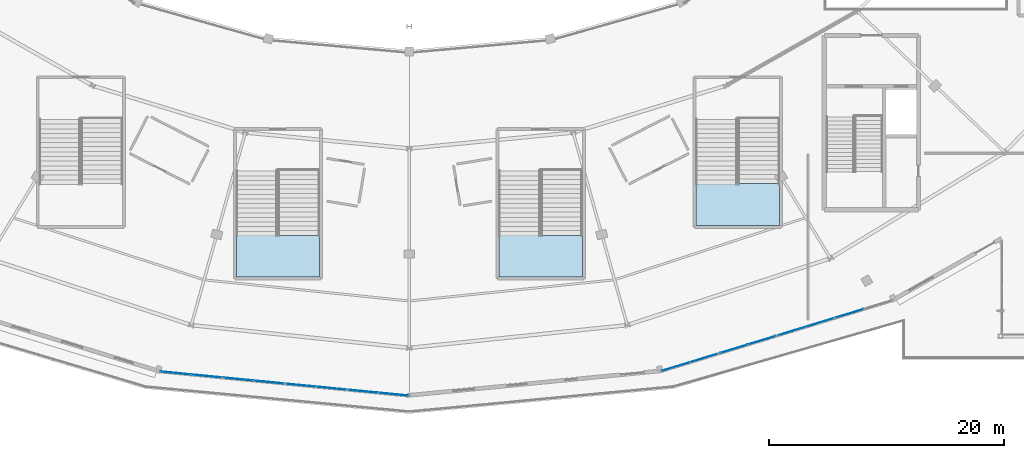
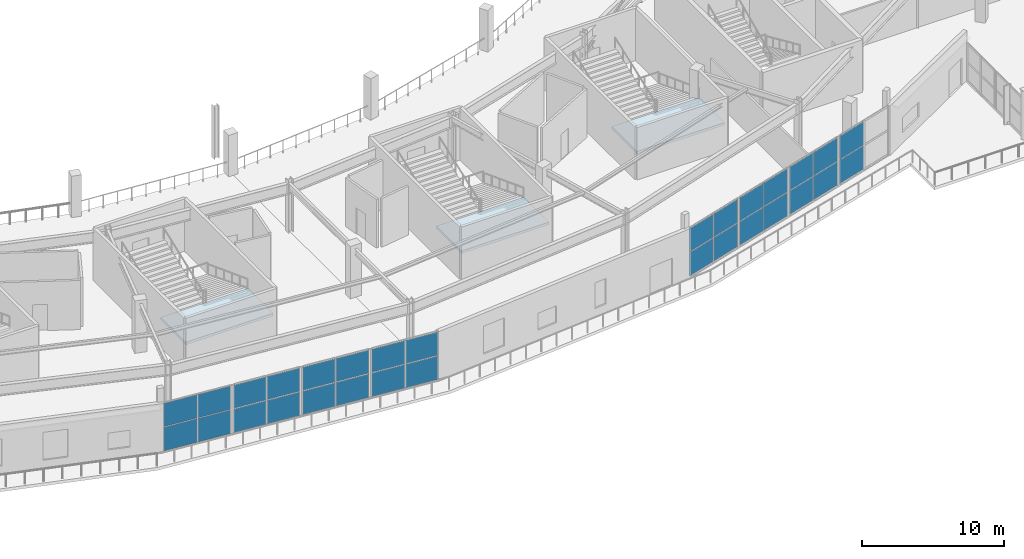
# One storey, part 74 of 123: 30 plates, 3 slabs, 11 elements without a shape of their own.
"""IFC4 building model written with IfcOpenShell, lengths in metres."""

from ifc_helpers import new_model, si_unit, direction, frame, origin, origin_2d, place, context, subcontext, project, spatial, polyline, rectangle, outline, extrude, material, layer, layer_set, type_object, element, aggregate, save


model = new_model("IFC4")

# Units and contexts
model_context = context("Model", 3, precision=1e-05, world=origin(), true_north=direction((0.0, 1.0)))
body_context = subcontext(model_context, "Body", "Model", "MODEL_VIEW")
ifc_project = project(units=[si_unit("LENGTHUNIT", "METRE"), si_unit("AREAUNIT", "SQUARE_METRE"), si_unit("VOLUMEUNIT", "CUBIC_METRE"), si_unit("PLANEANGLEUNIT", "RADIAN"), si_unit("MASSUNIT", "GRAM", prefix="KILO")], contexts=[model_context])

# Site, building, storey
site_placement = place(None, origin())
site = spatial("IfcSite", under=ifc_project, at=site_placement, CompositionType="ELEMENT")
building_placement = place(site_placement, origin())
building = spatial("IfcBuilding", under=site, at=building_placement, Name="Kalgoora Escarpment Arena", CompositionType="ELEMENT")
storey_placement = place(building_placement, frame((0.0, 0.0, 9.89990234375)))
storey = spatial("IfcBuildingStorey", under=building, at=storey_placement, Name="L02", CompositionType="ELEMENT", Elevation=9.89990234375)

# Curtain wall, plates
ifc_material_1 = material(Name=" Champagne anodised aluminium & double-glazed low-E", Category="aluminium")
ifc_layer_1 = layer(ifc_material_1, 0.14990234375)
ifc_layer_set_1 = layer_set([ifc_layer_1], Name="CW-UNIT-05")
curtain_wall_type_1 = type_object("IfcCurtainWallType", Name="CW-UNIT-05", PredefinedType="NOTDEFINED", material=ifc_layer_set_1)
curtain_wall_1_placement = place(storey_placement, origin())
curtain_wall_1 = element("IfcCurtainWall", 1, at=curtain_wall_1_placement, inside=storey, type_object=curtain_wall_type_1, Name="L02 unitised facade curtain wall 044", PredefinedType="NOTDEFINED")
ifc_material_2 = material(Name="Low-E double-glazed insulated glass", Category="glass")
ifc_layer_2 = layer(ifc_material_2, 0.028076171875)
ifc_layer_set_2 = layer_set([ifc_layer_2], Name="PLT-CW-GLAZ-28")
plate_type_1 = type_object("IfcPlateType", Name="PLT-CW-GLAZ-28", PredefinedType="CURTAIN_PANEL", material=ifc_layer_set_2)
plate_1_placement = place(storey_placement, frame((127.3837890625, 9.160400390625, 0.080078125), z_axis=(0.0, 0.0, 1.0), x_axis=(-0.9561886445, -0.292751218834, 0.0)))
plate_1 = element("IfcPlate", 2, at=plate_1_placement, type_object=plate_type_1, Name="CW-05 panel 1.1", PredefinedType="CURTAIN_PANEL", context=body_context, shape_type="SweptSolid", body=[
    extrude(rectangle(XDim=2.427734375, YDim=0.028076171875, at=origin_2d()), origin(), (0.0, 0.0, 1.0), 2.0224609375),
])
plate_2_placement = place(storey_placement, frame((127.3837890625, 9.160400390625, 2.16259765625), z_axis=(0.0, 0.0, 1.0), x_axis=(-0.9561886445, -0.292751218834, 0.0)))
plate_2 = element("IfcPlate", 3, at=plate_2_placement, type_object=plate_type_1, Name="CW-05 panel 1.2", PredefinedType="CURTAIN_PANEL", context=body_context, shape_type="SweptSolid", body=[
    extrude(rectangle(XDim=2.427734375, YDim=0.028076171875, at=origin_2d()), origin(), (0.0, 0.0, 1.0), 2.00244140625),
])
plate_3_placement = place(storey_placement, frame((125.000244140625, 8.4306640625, 0.080078125), z_axis=(0.0, 0.0, 1.0), x_axis=(-0.9561886445, -0.292751218834, 0.0)))
plate_3 = element("IfcPlate", 4, at=plate_3_placement, type_object=plate_type_1, Name="CW-05 panel 2.1", PredefinedType="CURTAIN_PANEL", context=body_context, shape_type="SweptSolid", body=[
    extrude(rectangle(XDim=2.427734375, YDim=0.028076171875, at=origin_2d()), origin(), (0.0, 0.0, 1.0), 2.0224609375),
])
plate_4_placement = place(storey_placement, frame((125.000244140625, 8.4306640625, 2.16259765625), z_axis=(0.0, 0.0, 1.0), x_axis=(-0.9561886445, -0.292751218834, 0.0)))
plate_4 = element("IfcPlate", 5, at=plate_4_placement, type_object=plate_type_1, Name="CW-05 panel 2.2", PredefinedType="CURTAIN_PANEL", context=body_context, shape_type="SweptSolid", body=[
    extrude(rectangle(XDim=2.427734375, YDim=0.028076171875, at=origin_2d()), origin(), (0.0, 0.0, 1.0), 2.00244140625),
])
aggregate(curtain_wall_1, [plate_1, plate_2, plate_3, plate_4])

ifc_material_3 = material(Name=" Champagne anodised aluminium & double-glazed low-E", Category="aluminium")
ifc_layer_3 = layer(ifc_material_3, 0.157958984375)
ifc_layer_set_3 = layer_set([ifc_layer_3], Name="CW-UNIT-07")
curtain_wall_type_2 = type_object("IfcCurtainWallType", Name="CW-UNIT-07", PredefinedType="NOTDEFINED", material=ifc_layer_set_3)
curtain_wall_2_placement = place(storey_placement, origin())
curtain_wall_2 = element("IfcCurtainWall", 6, at=curtain_wall_2_placement, inside=storey, type_object=curtain_wall_type_2, Name="L02 unitised facade curtain wall 046", PredefinedType="NOTDEFINED")
plate_5_placement = place(storey_placement, frame((117.522216796875, 6.14111328125, 0.080078125), z_axis=(0.0, 0.0, 1.0), x_axis=(-0.956190547467, -0.29274500326, 0.0)))
plate_5 = element("IfcPlate", 7, at=plate_5_placement, type_object=plate_type_1, Name="CW-07 panel 1.1", PredefinedType="CURTAIN_PANEL", context=body_context, shape_type="SweptSolid", body=[
    extrude(rectangle(XDim=2.45263671875, YDim=0.028076171875, at=origin_2d()), origin(), (0.0, 0.0, 1.0), 2.0224609375),
])
plate_6_placement = place(storey_placement, frame((117.522216796875, 6.14111328125, 2.16259765625), z_axis=(0.0, 0.0, 1.0), x_axis=(-0.956190547467, -0.29274500326, 0.0)))
plate_6 = element("IfcPlate", 8, at=plate_6_placement, type_object=plate_type_1, Name="CW-07 panel 1.2", PredefinedType="CURTAIN_PANEL", context=body_context, shape_type="SweptSolid", body=[
    extrude(rectangle(XDim=2.45263671875, YDim=0.028076171875, at=origin_2d()), origin(), (0.0, 0.0, 1.0), 2.00244140625),
])
plate_7_placement = place(storey_placement, frame((115.11474609375, 5.404052734375, 0.080078125), z_axis=(0.0, 0.0, 1.0), x_axis=(-0.956190547467, -0.29274500326, 0.0)))
plate_7 = element("IfcPlate", 9, at=plate_7_placement, type_object=plate_type_1, Name="CW-07 panel 2.1", PredefinedType="CURTAIN_PANEL", context=body_context, shape_type="SweptSolid", body=[
    extrude(rectangle(XDim=2.45263671875, YDim=0.028076171875, at=origin_2d()), origin(), (0.0, 0.0, 1.0), 2.0224609375),
])
plate_8_placement = place(storey_placement, frame((115.11474609375, 5.404052734375, 2.16259765625), z_axis=(0.0, 0.0, 1.0), x_axis=(-0.956190547467, -0.29274500326, 0.0)))
plate_8 = element("IfcPlate", 10, at=plate_8_placement, type_object=plate_type_1, Name="CW-07 panel 2.2", PredefinedType="CURTAIN_PANEL", context=body_context, shape_type="SweptSolid", body=[
    extrude(rectangle(XDim=2.45263671875, YDim=0.028076171875, at=origin_2d()), origin(), (0.0, 0.0, 1.0), 2.00244140625),
])
aggregate(curtain_wall_2, [plate_5, plate_6, plate_7, plate_8])

ifc_material_4 = material(Name=" Champagne anodised aluminium & double-glazed low-E", Category="aluminium")
ifc_layer_4 = layer(ifc_material_4, 0.166015625)
ifc_layer_set_4 = layer_set([ifc_layer_4], Name="CW-UNIT-09")
curtain_wall_type_3 = type_object("IfcCurtainWallType", Name="CW-UNIT-09", PredefinedType="NOTDEFINED", material=ifc_layer_set_4)
curtain_wall_3_placement = place(storey_placement, origin())
curtain_wall_3 = element("IfcCurtainWall", 11, at=curtain_wall_3_placement, inside=storey, type_object=curtain_wall_type_3, Name="L02 unitised facade curtain wall 048", PredefinedType="NOTDEFINED")
plate_9_placement = place(storey_placement, frame((85.722412109375, 3.5703125, 0.080078125), z_axis=(0.0, 0.0, 1.0), x_axis=(-0.995298024698, 0.096859909317, 0.0)))
plate_9 = element("IfcPlate", 12, at=plate_9_placement, type_object=plate_type_1, Name="CW-09 panel 1.1", PredefinedType="CURTAIN_PANEL", context=body_context, shape_type="SweptSolid", body=[
    extrude(rectangle(XDim=2.5244140625, YDim=0.028076171875, at=origin_2d()), origin(), (0.0, 0.0, 1.0), 2.0224609375),
])
plate_10_placement = place(storey_placement, frame((85.722412109375, 3.5703125, 2.16259765625), z_axis=(0.0, 0.0, 1.0), x_axis=(-0.995298024698, 0.096859909317, 0.0)))
plate_10 = element("IfcPlate", 13, at=plate_10_placement, type_object=plate_type_1, Name="CW-09 panel 1.2", PredefinedType="CURTAIN_PANEL", context=body_context, shape_type="SweptSolid", body=[
    extrude(rectangle(XDim=2.5244140625, YDim=0.028076171875, at=origin_2d()), origin(), (0.0, 0.0, 1.0), 2.00244140625),
])
plate_11_placement = place(storey_placement, frame((83.145263671875, 3.821044921875, 0.080078125), z_axis=(0.0, 0.0, 1.0), x_axis=(-0.995298024698, 0.096859909317, 0.0)))
plate_11 = element("IfcPlate", 14, at=plate_11_placement, type_object=plate_type_1, Name="CW-09 panel 2.1", PredefinedType="CURTAIN_PANEL", context=body_context, shape_type="SweptSolid", body=[
    extrude(rectangle(XDim=2.5244140625, YDim=0.028076171875, at=origin_2d()), origin(), (0.0, 0.0, 1.0), 2.0224609375),
])
plate_12_placement = place(storey_placement, frame((83.145263671875, 3.821044921875, 2.16259765625), z_axis=(0.0, 0.0, 1.0), x_axis=(-0.995298024698, 0.096859909317, 0.0)))
plate_12 = element("IfcPlate", 15, at=plate_12_placement, type_object=plate_type_1, Name="CW-09 panel 2.2", PredefinedType="CURTAIN_PANEL", context=body_context, shape_type="SweptSolid", body=[
    extrude(rectangle(XDim=2.5244140625, YDim=0.028076171875, at=origin_2d()), origin(), (0.0, 0.0, 1.0), 2.00244140625),
])
aggregate(curtain_wall_3, [plate_9, plate_10, plate_11, plate_12])

ifc_material_5 = material(Name=" Champagne anodised aluminium & double-glazed low-E", Category="aluminium")
ifc_layer_5 = layer(ifc_material_5, 0.154052734375)
ifc_layer_set_5 = layer_set([ifc_layer_5], Name="CW-UNIT-11")
curtain_wall_type_4 = type_object("IfcCurtainWallType", Name="CW-UNIT-11", PredefinedType="NOTDEFINED", material=ifc_layer_set_5)
curtain_wall_4_placement = place(storey_placement, origin())
curtain_wall_4 = element("IfcCurtainWall", 16, at=curtain_wall_4_placement, inside=storey, type_object=curtain_wall_type_4, Name="L02 unitised facade curtain wall 050", PredefinedType="NOTDEFINED")
plate_13_placement = place(storey_placement, frame((75.073974609375, 4.6064453125, 0.0751953125), z_axis=(0.0, 0.0, 1.0), x_axis=(-0.995298692664, 0.096853045283, 0.0)))
plate_13 = element("IfcPlate", 17, at=plate_13_placement, type_object=plate_type_1, Name="CW-11 panel 1.1", PredefinedType="CURTAIN_PANEL", context=body_context, shape_type="SweptSolid", body=[
    extrude(rectangle(XDim=2.556884765625, YDim=0.028076171875, at=origin_2d()), origin(), (0.0, 0.0, 1.0), 2.030029296875),
])
plate_14_placement = place(storey_placement, frame((75.073974609375, 4.6064453125, 2.16015625), z_axis=(0.0, 0.0, 1.0), x_axis=(-0.995298692664, 0.096853045283, 0.0)))
plate_14 = element("IfcPlate", 18, at=plate_14_placement, type_object=plate_type_1, Name="CW-11 panel 1.2", PredefinedType="CURTAIN_PANEL", context=body_context, shape_type="SweptSolid", body=[
    extrude(rectangle(XDim=2.556884765625, YDim=0.028076171875, at=origin_2d()), origin(), (0.0, 0.0, 1.0), 2.010009765625),
])
plate_15_placement = place(storey_placement, frame((72.469482421875, 4.85986328125, 0.0751953125), z_axis=(0.0, 0.0, 1.0), x_axis=(-0.995298692664, 0.096853045283, 0.0)))
plate_15 = element("IfcPlate", 19, at=plate_15_placement, type_object=plate_type_1, Name="CW-11 panel 2.1", PredefinedType="CURTAIN_PANEL", context=body_context, shape_type="SweptSolid", body=[
    extrude(rectangle(XDim=2.556884765625, YDim=0.028076171875, at=origin_2d()), origin(), (0.0, 0.0, 1.0), 2.030029296875),
])
plate_16_placement = place(storey_placement, frame((72.469482421875, 4.85986328125, 2.16015625), z_axis=(0.0, 0.0, 1.0), x_axis=(-0.995298692664, 0.096853045283, 0.0)))
plate_16 = element("IfcPlate", 20, at=plate_16_placement, type_object=plate_type_1, Name="CW-11 panel 2.2", PredefinedType="CURTAIN_PANEL", context=body_context, shape_type="SweptSolid", body=[
    extrude(rectangle(XDim=2.556884765625, YDim=0.028076171875, at=origin_2d()), origin(), (0.0, 0.0, 1.0), 2.010009765625),
])
aggregate(curtain_wall_4, [plate_13, plate_14, plate_15, plate_16])

ifc_material_6 = material(Name=" Champagne anodised aluminium & double-glazed low-E", Category="aluminium")
ifc_layer_6 = layer(ifc_material_6, 0.166015625)
ifc_layer_set_6 = layer_set([ifc_layer_6], Name="CW-UNIT-04")
curtain_wall_type_5 = type_object("IfcCurtainWallType", Name="CW-UNIT-04", PredefinedType="NOTDEFINED", material=ifc_layer_set_6)
curtain_wall_5_placement = place(storey_placement, origin())
curtain_wall_5 = element("IfcCurtainWall", 21, at=curtain_wall_5_placement, inside=storey, type_object=curtain_wall_type_5, Name="L02 unitised facade curtain wall 043", PredefinedType="NOTDEFINED")
ifc_material_7 = material(Name="Acoustic laminated solar-control glass", Category="glass")
ifc_layer_7 = layer(ifc_material_7, 0.033935546875)
ifc_layer_set_7 = layer_set([ifc_layer_7], Name="PLT-CW-GLAZ-34")
plate_type_2 = type_object("IfcPlateType", Name="PLT-CW-GLAZ-34", PredefinedType="CURTAIN_PANEL", material=ifc_layer_set_7)
plate_17_placement = place(storey_placement, frame((129.936767578125, 9.94189453125, 0.080078125), z_axis=(0.0, 0.0, 1.0), x_axis=(-0.956190547467, -0.29274500326, 0.0)))
plate_17 = element("IfcPlate", 22, at=plate_17_placement, type_object=plate_type_2, Name="CW-04 panel 2.1", PredefinedType="CURTAIN_PANEL", context=body_context, shape_type="SweptSolid", body=[
    extrude(rectangle(XDim=2.45263671875, YDim=0.033935546875, at=origin_2d()), origin(), (0.0, 0.0, 1.0), 2.0224609375),
])
plate_18_placement = place(storey_placement, frame((129.936767578125, 9.94189453125, 2.16259765625), z_axis=(0.0, 0.0, 1.0), x_axis=(-0.956190547467, -0.29274500326, 0.0)))
plate_18 = element("IfcPlate", 23, at=plate_18_placement, type_object=plate_type_2, Name="CW-04 panel 2.2", PredefinedType="CURTAIN_PANEL", context=body_context, shape_type="SweptSolid", body=[
    extrude(rectangle(XDim=2.45263671875, YDim=0.033935546875, at=origin_2d()), origin(), (0.0, 0.0, 1.0), 2.00244140625),
])
aggregate(curtain_wall_5, [plate_17, plate_18])

ifc_material_8 = material(Name=" Champagne anodised aluminium & double-glazed low-E", Category="aluminium")
ifc_layer_8 = layer(ifc_material_8, 0.154052734375)
ifc_layer_set_8 = layer_set([ifc_layer_8], Name="CW-UNIT-06")
curtain_wall_type_6 = type_object("IfcCurtainWallType", Name="CW-UNIT-06", PredefinedType="NOTDEFINED", material=ifc_layer_set_8)
curtain_wall_6_placement = place(storey_placement, origin())
curtain_wall_6 = element("IfcCurtainWall", 24, at=curtain_wall_6_placement, inside=storey, type_object=curtain_wall_type_6, Name="L02 unitised facade curtain wall 045", PredefinedType="NOTDEFINED")
plate_19_placement = place(storey_placement, frame((122.458984375, 7.652587890625, 0.080078125), z_axis=(0.0, 0.0, 1.0), x_axis=(-0.956194187039, -0.292733115095, 0.0)))
plate_19 = element("IfcPlate", 25, at=plate_19_placement, type_object=plate_type_2, Name="CW-06 panel 1.1", PredefinedType="CURTAIN_PANEL", context=body_context, shape_type="SweptSolid", body=[
    extrude(rectangle(XDim=2.427734375, YDim=0.033935546875, at=origin_2d()), origin(), (0.0, 0.0, 1.0), 2.0224609375),
])
plate_20_placement = place(storey_placement, frame((122.458984375, 7.652587890625, 2.16259765625), z_axis=(0.0, 0.0, 1.0), x_axis=(-0.956194187039, -0.292733115095, 0.0)))
plate_20 = element("IfcPlate", 26, at=plate_20_placement, type_object=plate_type_2, Name="CW-06 panel 1.2", PredefinedType="CURTAIN_PANEL", context=body_context, shape_type="SweptSolid", body=[
    extrude(rectangle(XDim=2.427734375, YDim=0.033935546875, at=origin_2d()), origin(), (0.0, 0.0, 1.0), 2.00244140625),
])
plate_21_placement = place(storey_placement, frame((120.075439453125, 6.9228515625, 0.080078125), z_axis=(0.0, 0.0, 1.0), x_axis=(-0.956194187039, -0.292733115095, 0.0)))
plate_21 = element("IfcPlate", 27, at=plate_21_placement, type_object=plate_type_2, Name="CW-06 panel 2.1", PredefinedType="CURTAIN_PANEL", context=body_context, shape_type="SweptSolid", body=[
    extrude(rectangle(XDim=2.427734375, YDim=0.033935546875, at=origin_2d()), origin(), (0.0, 0.0, 1.0), 2.0224609375),
])
plate_22_placement = place(storey_placement, frame((120.075439453125, 6.9228515625, 2.16259765625), z_axis=(0.0, 0.0, 1.0), x_axis=(-0.956194187039, -0.292733115095, 0.0)))
plate_22 = element("IfcPlate", 28, at=plate_22_placement, type_object=plate_type_2, Name="CW-06 panel 2.2", PredefinedType="CURTAIN_PANEL", context=body_context, shape_type="SweptSolid", body=[
    extrude(rectangle(XDim=2.427734375, YDim=0.033935546875, at=origin_2d()), origin(), (0.0, 0.0, 1.0), 2.00244140625),
])
aggregate(curtain_wall_6, [plate_19, plate_20, plate_21, plate_22])

ifc_material_9 = material(Name=" Champagne anodised aluminium & double-glazed low-E", Category="aluminium")
ifc_layer_9 = layer(ifc_material_9, 0.162109375)
ifc_layer_set_9 = layer_set([ifc_layer_9], Name="CW-UNIT-08")
curtain_wall_type_7 = type_object("IfcCurtainWallType", Name="CW-UNIT-08", PredefinedType="NOTDEFINED", material=ifc_layer_set_9)
curtain_wall_7_placement = place(storey_placement, origin())
curtain_wall_7 = element("IfcCurtainWall", 29, at=curtain_wall_7_placement, inside=storey, type_object=curtain_wall_type_7, Name="L02 unitised facade curtain wall 047", PredefinedType="NOTDEFINED")
plate_23_placement = place(storey_placement, frame((91.078369140625, 3.049072265625, 0.080078125), z_axis=(0.0, 0.0, 1.0), x_axis=(-0.995298692664, 0.096853045283, 0.0)))
plate_23 = element("IfcPlate", 30, at=plate_23_placement, type_object=plate_type_2, Name="CW-08 panel 1.1", PredefinedType="CURTAIN_PANEL", context=body_context, shape_type="SweptSolid", body=[
    extrude(rectangle(XDim=2.54931640625, YDim=0.033935546875, at=origin_2d()), origin(), (0.0, 0.0, 1.0), 2.0224609375),
])
plate_24_placement = place(storey_placement, frame((91.078369140625, 3.049072265625, 2.16259765625), z_axis=(0.0, 0.0, 1.0), x_axis=(-0.995298692664, 0.096853045283, 0.0)))
plate_24 = element("IfcPlate", 31, at=plate_24_placement, type_object=plate_type_2, Name="CW-08 panel 1.2", PredefinedType="CURTAIN_PANEL", context=body_context, shape_type="SweptSolid", body=[
    extrude(rectangle(XDim=2.54931640625, YDim=0.033935546875, at=origin_2d()), origin(), (0.0, 0.0, 1.0), 2.00244140625),
])
plate_25_placement = place(storey_placement, frame((88.476318359375, 3.30224609375, 0.080078125), z_axis=(0.0, 0.0, 1.0), x_axis=(-0.995298692664, 0.096853045283, 0.0)))
plate_25 = element("IfcPlate", 32, at=plate_25_placement, type_object=plate_type_2, Name="CW-08 panel 2.1", PredefinedType="CURTAIN_PANEL", context=body_context, shape_type="SweptSolid", body=[
    extrude(rectangle(XDim=2.54931640625, YDim=0.033935546875, at=origin_2d()), origin(), (0.0, 0.0, 1.0), 2.0224609375),
])
plate_26_placement = place(storey_placement, frame((88.476318359375, 3.30224609375, 2.16259765625), z_axis=(0.0, 0.0, 1.0), x_axis=(-0.995298692664, 0.096853045283, 0.0)))
plate_26 = element("IfcPlate", 33, at=plate_26_placement, type_object=plate_type_2, Name="CW-08 panel 2.2", PredefinedType="CURTAIN_PANEL", context=body_context, shape_type="SweptSolid", body=[
    extrude(rectangle(XDim=2.54931640625, YDim=0.033935546875, at=origin_2d()), origin(), (0.0, 0.0, 1.0), 2.00244140625),
])
aggregate(curtain_wall_7, [plate_23, plate_24, plate_25, plate_26])

ifc_material_10 = material(Name=" Champagne anodised aluminium & double-glazed low-E", Category="aluminium")
ifc_layer_10 = layer(ifc_material_10, 0.14990234375)
ifc_layer_set_10 = layer_set([ifc_layer_10], Name="CW-UNIT-10")
curtain_wall_type_8 = type_object("IfcCurtainWallType", Name="CW-UNIT-10", PredefinedType="NOTDEFINED", material=ifc_layer_set_10)
curtain_wall_8_placement = place(storey_placement, origin())
curtain_wall_8 = element("IfcCurtainWall", 34, at=curtain_wall_8_placement, inside=storey, type_object=curtain_wall_type_8, Name="L02 unitised facade curtain wall 049", PredefinedType="NOTDEFINED")
plate_27_placement = place(storey_placement, frame((80.40380859375, 4.087890625, 0.080078125), z_axis=(0.0, 0.0, 1.0), x_axis=(-0.995298024698, 0.096859909317, 0.0)))
plate_27 = element("IfcPlate", 35, at=plate_27_placement, type_object=plate_type_2, Name="CW-10 panel 1.1", PredefinedType="CURTAIN_PANEL", context=body_context, shape_type="SweptSolid", body=[
    extrude(rectangle(XDim=2.5244140625, YDim=0.033935546875, at=origin_2d()), origin(), (0.0, 0.0, 1.0), 2.0224609375),
])
plate_28_placement = place(storey_placement, frame((80.40380859375, 4.087890625, 2.16259765625), z_axis=(0.0, 0.0, 1.0), x_axis=(-0.995298024698, 0.096859909317, 0.0)))
plate_28 = element("IfcPlate", 36, at=plate_28_placement, type_object=plate_type_2, Name="CW-10 panel 1.2", PredefinedType="CURTAIN_PANEL", context=body_context, shape_type="SweptSolid", body=[
    extrude(rectangle(XDim=2.5244140625, YDim=0.033935546875, at=origin_2d()), origin(), (0.0, 0.0, 1.0), 2.00244140625),
])
plate_29_placement = place(storey_placement, frame((77.82666015625, 4.338623046875, 0.080078125), z_axis=(0.0, 0.0, 1.0), x_axis=(-0.995298024698, 0.096859909317, 0.0)))
plate_29 = element("IfcPlate", 37, at=plate_29_placement, type_object=plate_type_2, Name="CW-10 panel 2.1", PredefinedType="CURTAIN_PANEL", context=body_context, shape_type="SweptSolid", body=[
    extrude(rectangle(XDim=2.5244140625, YDim=0.033935546875, at=origin_2d()), origin(), (0.0, 0.0, 1.0), 2.0224609375),
])
plate_30_placement = place(storey_placement, frame((77.82666015625, 4.338623046875, 2.16259765625), z_axis=(0.0, 0.0, 1.0), x_axis=(-0.995298024698, 0.096859909317, 0.0)))
plate_30 = element("IfcPlate", 38, at=plate_30_placement, type_object=plate_type_2, Name="CW-10 panel 2.2", PredefinedType="CURTAIN_PANEL", context=body_context, shape_type="SweptSolid", body=[
    extrude(rectangle(XDim=2.5244140625, YDim=0.033935546875, at=origin_2d()), origin(), (0.0, 0.0, 1.0), 2.00244140625),
])
aggregate(curtain_wall_8, [plate_27, plate_28, plate_29, plate_30])

# Stair, slab
ifc_material_11 = material(Name="Precast concrete N50 (fc' 50 MPa)", Category="concrete")
stair_type_1 = type_object("IfcStairType", Name="STR-STAD-2", PredefinedType="HALF_TURN_STAIR", material=ifc_material_11)
stair_1_placement = place(storey_placement, origin())
stair_1 = element("IfcStair", 39, at=stair_1_placement, inside=storey, type_object=stair_type_1, Name="Fire-isolated exit stair ST14 (L02)", PredefinedType="HALF_TURN_STAIR")
ifc_material_12 = material(Name="Concrete N40 (fc' 40 MPa)", Category="concrete")
ifc_layer_11 = layer(ifc_material_12, 0.219970703125)
ifc_layer_set_11 = layer_set([ifc_layer_11], Name="SLB-ST-LAND-220")
slab_type = type_object("IfcSlabType", Name="SLB-ST-LAND-220", PredefinedType="LANDING", material=ifc_layer_set_11)
slab_1_placement = place(storey_placement, frame((0.0, 0.0, 2.030029296875)))
slab_1 = element("IfcSlab", 40, at=slab_1_placement, type_object=slab_type, Name="ST14 L02 half-landing", PredefinedType="LANDING", context=body_context, shape_type="SweptSolid", body=[
    extrude(outline(polyline([(84.75, 16.60009765625), (84.75, 13.050048828125), (77.64990234375, 13.050048828125), (77.64990234375, 16.60009765625), (84.75, 16.60009765625)])), origin(), (0.0, 0.0, 1.0), 0.219970703125),
])
aggregate(stair_1, [slab_1])

ifc_material_13 = material(Name="Precast concrete N50 (fc' 50 MPa)", Category="concrete")
stair_type_2 = type_object("IfcStairType", Name="STR-STAD-3", PredefinedType="HALF_TURN_STAIR", material=ifc_material_13)
stair_2_placement = place(storey_placement, origin())
stair_2 = element("IfcStair", 41, at=stair_2_placement, inside=storey, type_object=stair_type_2, Name="Fire-isolated exit stair ST15 (L02)", PredefinedType="HALF_TURN_STAIR")
slab_2_placement = place(storey_placement, frame((0.0, 0.0, 2.030029296875)))
slab_2 = element("IfcSlab", 42, at=slab_2_placement, type_object=slab_type, Name="ST15 L02 half-landing", PredefinedType="LANDING", context=body_context, shape_type="SweptSolid", body=[
    extrude(outline(polyline([(107.14990234375, 16.60009765625), (107.14990234375, 13.050048828125), (100.050048828125, 13.050048828125), (100.050048828125, 16.60009765625), (107.14990234375, 16.60009765625)])), origin(), (0.0, 0.0, 1.0), 0.219970703125),
])
aggregate(stair_2, [slab_2])

ifc_material_14 = material(Name="Precast concrete N50 (fc' 50 MPa)", Category="concrete")
stair_type_3 = type_object("IfcStairType", Name="STR-STAD-4", PredefinedType="HALF_TURN_STAIR", material=ifc_material_14)
stair_3_placement = place(storey_placement, origin())
stair_3 = element("IfcStair", 43, at=stair_3_placement, inside=storey, type_object=stair_type_3, Name="Fire-isolated exit stair ST16 (L02)", PredefinedType="HALF_TURN_STAIR")
slab_3_placement = place(storey_placement, frame((0.0, 0.0, 2.030029296875)))
slab_3 = element("IfcSlab", 44, at=slab_3_placement, type_object=slab_type, Name="ST16 L02 half-landing", PredefinedType="LANDING", context=body_context, shape_type="SweptSolid", body=[
    extrude(outline(polyline([(123.949951171875, 21.0), (123.949951171875, 17.449951171875), (116.85009765625, 17.449951171875), (116.85009765625, 21.0), (123.949951171875, 21.0)])), origin(), (0.0, 0.0, 1.0), 0.219970703125),
])
aggregate(stair_3, [slab_3])

save(model, "model.ifc")
